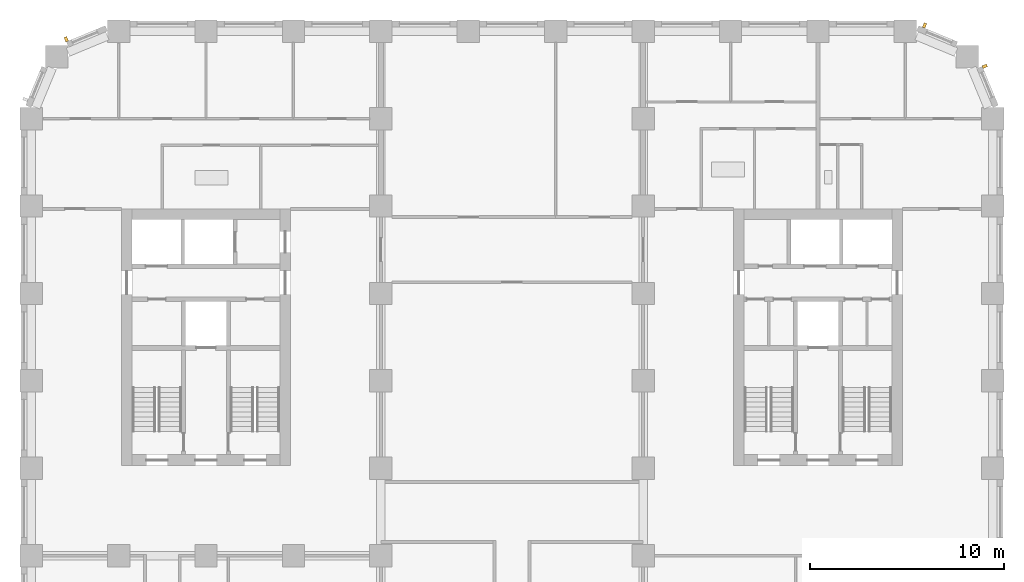
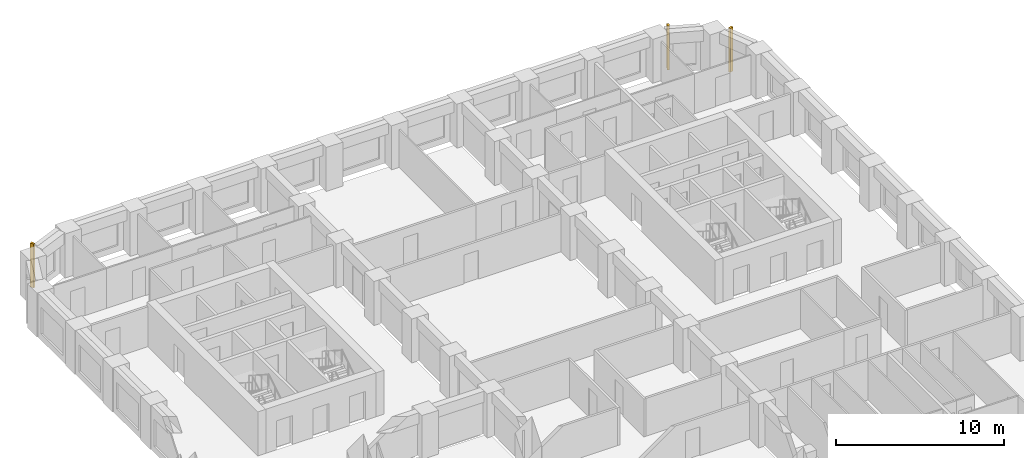
# One storey, part 11 of 12: 3 shading devices.
"""IFC4 building model written with IfcOpenShell, lengths in metres."""

from ifc_helpers import new_model, si_unit, direction, frame, origin, origin_2d, place, context, subcontext, project, spatial, rectangle, extrude, material, type_object, element, save


model = new_model("IFC4")

# Units and contexts
model_context = context("Model", 3, precision=1e-05, world=origin(), true_north=direction((0.0, 1.0)))
body_context = subcontext(model_context, "Body", "Model", "MODEL_VIEW")
ifc_project = project(units=[si_unit("LENGTHUNIT", "METRE"), si_unit("AREAUNIT", "SQUARE_METRE"), si_unit("VOLUMEUNIT", "CUBIC_METRE"), si_unit("PLANEANGLEUNIT", "RADIAN"), si_unit("MASSUNIT", "GRAM", prefix="KILO")], contexts=[model_context])

# Site, building, storey
site_placement = place(None, origin())
site = spatial("IfcSite", under=ifc_project, at=site_placement, CompositionType="ELEMENT")
building_placement = place(site_placement, origin())
building = spatial("IfcBuilding", under=site, at=building_placement, Name="Girih Gate Residences", CompositionType="ELEMENT")
storey_placement = place(building_placement, frame((0.0, 0.0, 115.199951171875)))
storey = spatial("IfcBuildingStorey", under=building, at=storey_placement, Name="L32", CompositionType="ELEMENT", Elevation=115.199951171875)

# Shading devices
ifc_material = material(Name="Precast concrete C50/60", Category="concrete")
shading_device_type = type_object("IfcShadingDeviceType", Name="Corner rib 150x250", PredefinedType="USERDEFINED", material=ifc_material)
for number, where, z_axis, x_axis, name in (
    (1, (49.087646484375, 47.6943359375, 0.0), (0.0, 0.0, 1.0), (-0.382683432365, 0.923879532511, 0.0), "Corner rib NE0495_0450.0"),
    (2, (45.985107421875, 49.79541015625, 0.0), (0.0, 0.0, 1.0), (-0.923879532511, 0.382683432365, 0.0), "Corner rib NE0482_0482.0"),
    (3, (1.8056640625, 49.087646484375, 0.0), (0.0, 0.0, 1.0), (-0.923879532511, -0.382683432365, 0.0), "Corner rib NW0045_0495.0"),
):
    element("IfcShadingDevice", number, at=place(storey_placement, frame(where, z_axis=z_axis, x_axis=x_axis)), inside=storey, type_object=shading_device_type, Name=name, ObjectType="FIN", PredefinedType="USERDEFINED", context=body_context, shape_type="SweptSolid", body=[
        extrude(rectangle(XDim=0.14990234375, YDim=0.25, at=origin_2d()), origin(), (0.0, 0.0, 1.0), 3.199951171875),
    ])

save(model, "model.ifc")
